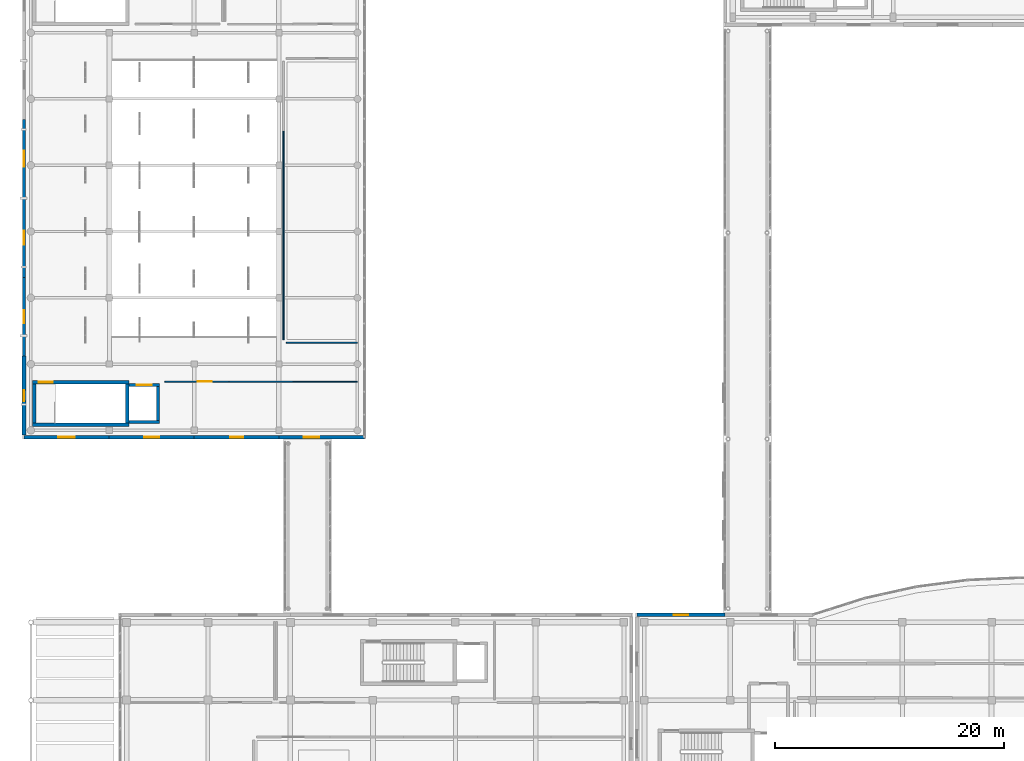
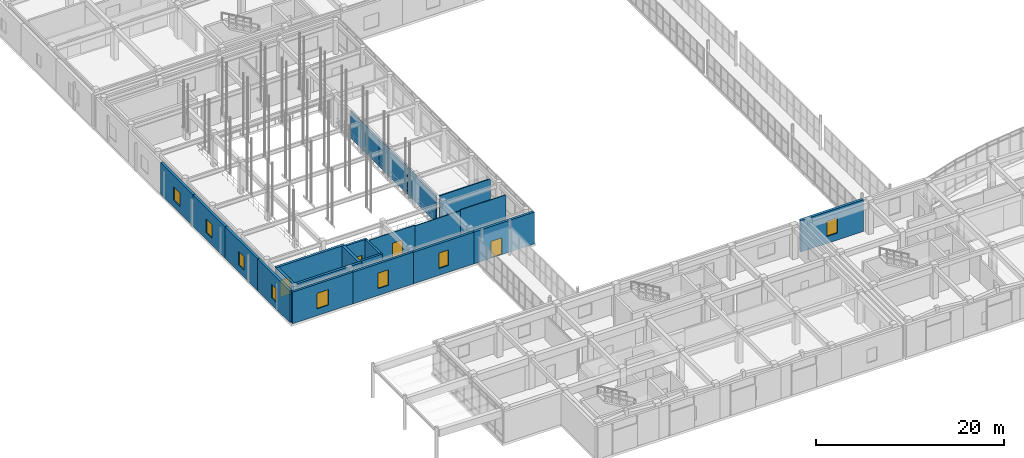
# One storey, part 119 of 142: 23 walls, 8 windows, 4 doors, 12 openings.
"""IFC4 building model written with IfcOpenShell, lengths in metres."""

from ifc_helpers import new_model, si_unit, direction, frame, frame_2d, origin, place, context, subcontext, project, spatial, rectangle, extrude, material, layer, layer_set, type_object, element, fill, save


model = new_model("IFC4")

# Units and contexts
model_context = context("Model", 3, precision=1e-05, world=origin(), true_north=direction((0.0, 1.0)))
body_context = subcontext(model_context, "Body", "Model", "MODEL_VIEW")
ifc_project = project(units=[si_unit("LENGTHUNIT", "METRE"), si_unit("AREAUNIT", "SQUARE_METRE"), si_unit("VOLUMEUNIT", "CUBIC_METRE"), si_unit("PLANEANGLEUNIT", "RADIAN"), si_unit("MASSUNIT", "GRAM", prefix="KILO")], contexts=[model_context])

# Site, building, storey
site_placement = place(None, origin())
site = spatial("IfcSite", under=ifc_project, at=site_placement, CompositionType="ELEMENT")
building_placement = place(site_placement, origin())
building = spatial("IfcBuilding", under=site, at=building_placement, Name="Valcora Specialist Clinic", CompositionType="ELEMENT")
storey_placement = place(building_placement, frame((0.0, 0.0, 5.10009765625)))
storey = spatial("IfcBuildingStorey", under=building, at=storey_placement, Name="L01", CompositionType="ELEMENT", Elevation=5.10009765625)

# Wall
ifc_material_1 = material(Name="Concrete C40/50", Category="concrete")
ifc_layer_1 = layer(ifc_material_1, 0.300048828125)
ifc_layer_set_1 = layer_set([ifc_layer_1], Name="Concrete C40/50")
wall_type_1 = type_object("IfcWallType", Name="TY-WL-CR300", PredefinedType="SHEAR", material=ifc_layer_set_1)
wall_1_placement = place(storey_placement, frame((0.89990234375, 39.25, 0.0), z_axis=(0.0, 0.0, 1.0), x_axis=(1.0, 0.0, 0.0)))
element("IfcWall", 1, at=wall_1_placement, inside=storey, type_object=wall_type_1, Name="Core shear wall WL-CR-C-V1A-L01-S", PredefinedType="SHEAR", context=body_context, shape_type="SweptSolid", body=[
    extrude(rectangle(XDim=8.420166015625, YDim=0.300048828125, at=frame_2d((4.2099609375, 0.0))), origin(), (0.0, 0.0, 1.0), 4.119873046875),
])

# Wall, opening, door
wall_2_placement = place(storey_placement, frame((0.89990234375, 42.949951171875, 0.0), z_axis=(0.0, 0.0, 1.0), x_axis=(1.0, 0.0, 0.0)))
wall_2 = element("IfcWall", 2, at=wall_2_placement, inside=storey, type_object=wall_type_1, Name="Core shear wall WL-CR-C-V1A-L01-N", PredefinedType="SHEAR", context=body_context, shape_type="SweptSolid", body=[
    extrude(rectangle(XDim=8.420166015625, YDim=0.300048828125, at=frame_2d((4.2099609375, 0.0))), origin(), (0.0, 0.0, 1.0), 4.119873046875),
])
opening_1_placement = place(wall_2_placement, frame((0.550048828125, 0.0, 0.0)))
opening_1 = element("IfcOpeningElement", 3, at=opening_1_placement, cuts=wall_2, Name="Opening DR-FD-120", PredefinedType="OPENING", context=body_context, shape_type="SweptSolid", body=[
    extrude(rectangle(XDim=1.199951171875, YDim=2.199951171875, at=frame_2d((0.60009765625, 1.10009765625))), frame((0.0, 0.159912109375, 0.0), z_axis=(0.0, -1.0, 0.0), x_axis=(1.0, 0.0, 0.0)), (0.0, 0.0, 1.0), 0.320068359375),
])
ifc_material_2 = material(Name="Galvanized Hollow Metal Door Steel ASTM A653", Category="steel")
door_type_1 = type_object("IfcDoorType", Name="TY-DR-ST120", OperationType="NOTDEFINED", PredefinedType="DOOR", material=ifc_material_2)
door_1_placement = place(opening_1_placement, origin())
door_1 = element("IfcDoor", 4, at=door_1_placement, inside=storey, type_object=door_type_1, Name="Exit stair fire door C-V1A L01", OperationType="SINGLE_SWING_RIGHT", OverallHeight=2.199951171875, OverallWidth=1.199951171875, PredefinedType="DOOR", context=body_context, shape_type="SweptSolid", body=[
    extrude(rectangle(XDim=1.199951171875, YDim=2.199951171875, at=frame_2d((0.60009765625, 1.10009765625))), frame((0.0, 0.02490234375, 0.0), z_axis=(0.0, -1.0, 0.0), x_axis=(1.0, 0.0, 0.0)), (0.0, 0.0, 1.0), 0.050048828125),
])
fill(opening_1, door_1)

# Walls
wall_3_placement = place(storey_placement, frame((1.050048828125, 39.402099609375, 0.0), z_axis=(0.0, 0.0, 1.0), x_axis=(0.0, 1.0, 0.0)))
element("IfcWall", 5, at=wall_3_placement, inside=storey, type_object=wall_type_1, Name="Core shear wall WL-CR-C-V1A-L01-W", PredefinedType="SHEAR", context=body_context, shape_type="SweptSolid", body=[
    extrude(rectangle(XDim=3.39599609375, YDim=0.300048828125, at=frame_2d((1.697998046875, 0.0))), origin(), (0.0, 0.0, 1.0), 4.119873046875),
])
ifc_layer_2 = layer(ifc_material_1, 0.320068359375)
ifc_layer_set_2 = layer_set([ifc_layer_2], Name="Concrete C40/50")
wall_type_2 = type_object("IfcWallType", Name="TY-WL-CR320", PredefinedType="SHEAR", material=ifc_layer_set_2)
wall_4_placement = place(storey_placement, frame((9.159912109375, 39.402099609375, 0.0), z_axis=(0.0, 0.0, 1.0), x_axis=(0.0, 1.0, 0.0)))
element("IfcWall", 6, at=wall_4_placement, inside=storey, type_object=wall_type_2, Name="Core shear wall WL-CR-C-V1A-L01-E", PredefinedType="SHEAR", context=body_context, shape_type="SweptSolid", body=[
    extrude(rectangle(XDim=3.39599609375, YDim=0.320068359375, at=frame_2d((1.697998046875, 0.0))), origin(), (0.0, 0.0, 1.0), 4.119873046875),
])

# Wall, opening, window
ifc_material_3 = material(Name="Extruded Jalisco Clay Brick Masonry", Category="masonry")
ifc_layer_3 = layer(ifc_material_3, 0.264892578125)
ifc_layer_set_3 = layer_set([ifc_layer_3], Name="Extruded Jalisco Clay Brick Masonry")
wall_type_3 = type_object("IfcWallType", Name="TY-WL-EW265", PredefinedType="SOLIDWALL", material=ifc_layer_set_3)
wall_5_placement = place(storey_placement, frame((0.14990234375, 59.0, 0.0), z_axis=(0.0, 0.0, 1.0), x_axis=(0.0, 1.0, 0.0)))
wall_5 = element("IfcWall", 7, at=wall_5_placement, inside=storey, type_object=wall_type_3, Name="Exterior wall WL-EXT-L01-0028", PredefinedType="SOLIDWALL", context=body_context, shape_type="SweptSolid", body=[
    extrude(rectangle(XDim=6.88671875, YDim=0.264892578125, at=frame_2d((3.443359375, 0.0))), origin(), (0.0, 0.0, 1.0), 4.119873046875),
])
opening_2_placement = place(wall_5_placement, frame((2.742919921875, 0.0, 0.89990234375)))
opening_2 = element("IfcOpeningElement", 8, at=opening_2_placement, cuts=wall_5, Name="Opening WN-14", PredefinedType="OPENING", context=body_context, shape_type="SweptSolid", body=[
    extrude(rectangle(XDim=1.39990234375, YDim=1.75, at=frame_2d((0.699951171875, 0.875))), frame((0.0, 0.142333984375, 0.0), z_axis=(0.0, -1.0, 0.0), x_axis=(1.0, 0.0, 0.0)), (0.0, 0.0, 1.0), 0.284912109375),
])
ifc_material_4 = material(Name="Low-E Laminated Insulating Glass", Category="glass")
window_type_1 = type_object("IfcWindowType", Name="TY-WN-14", PartitioningType="SINGLE_PANEL", PredefinedType="WINDOW", material=ifc_material_4)
window_1_placement = place(opening_2_placement, origin())
window_1 = element("IfcWindow", 9, at=window_1_placement, inside=storey, type_object=window_type_1, Name="Facade window WN-L01-0014", OverallHeight=1.75, OverallWidth=1.39990234375, PartitioningType="SINGLE_PANEL", PredefinedType="WINDOW", context=body_context, shape_type="SweptSolid", body=[
    extrude(rectangle(XDim=1.39990234375, YDim=1.75, at=frame_2d((0.699951171875, 0.875))), frame((0.0, 0.030029296875, 0.0), z_axis=(0.0, -1.0, 0.0), x_axis=(1.0, 0.0, 0.0)), (0.0, 0.0, 1.0), 0.06005859375),
])
fill(opening_2, window_1)

wall_6_placement = place(storey_placement, frame((7.574951171875, 38.14990234375, 0.0), z_axis=(0.0, 0.0, 1.0), x_axis=(-1.0, 0.0, 0.0)))
wall_6 = element("IfcWall", 10, at=wall_6_placement, inside=storey, type_object=wall_type_3, Name="Exterior wall WL-EXT-L01-0038", PredefinedType="SOLIDWALL", context=body_context, shape_type="SweptSolid", body=[
    extrude(rectangle(XDim=7.425048828125, YDim=0.264892578125, at=frame_2d((3.71240234375, 0.0))), origin(), (0.0, 0.0, 1.0), 4.119873046875),
])
opening_3_placement = place(wall_6_placement, frame((2.987060546875, 0.0, 0.89990234375)))
opening_3 = element("IfcOpeningElement", 11, at=opening_3_placement, cuts=wall_6, Name="Opening WN-23", PredefinedType="OPENING", context=body_context, shape_type="SweptSolid", body=[
    extrude(rectangle(XDim=1.449951171875, YDim=2.0, at=frame_2d((0.72509765625, 1.0))), frame((0.0, 0.142333984375, 0.0), z_axis=(0.0, -1.0, 0.0), x_axis=(1.0, 0.0, 0.0)), (0.0, 0.0, 1.0), 0.284912109375),
])
window_type_2 = type_object("IfcWindowType", Name="TY-WN-23", PartitioningType="SINGLE_PANEL", PredefinedType="WINDOW", material=ifc_material_4)
window_2_placement = place(opening_3_placement, origin())
window_2 = element("IfcWindow", 12, at=window_2_placement, inside=storey, type_object=window_type_2, Name="Facade window WN-L01-0023", OverallHeight=2.0, OverallWidth=1.449951171875, PartitioningType="SINGLE_PANEL", PredefinedType="WINDOW", context=body_context, shape_type="SweptSolid", body=[
    extrude(rectangle(XDim=1.449951171875, YDim=2.0, at=frame_2d((0.72509765625, 1.0))), frame((0.0, 0.030029296875, 0.0), z_axis=(0.0, -1.0, 0.0), x_axis=(1.0, 0.0, 0.0)), (0.0, 0.0, 1.0), 0.06005859375),
])
fill(opening_3, window_2)

ifc_layer_4 = layer(ifc_material_3, 0.280029296875)
ifc_layer_set_4 = layer_set([ifc_layer_4], Name="Extruded Jalisco Clay Brick Masonry")
wall_type_4 = type_object("IfcWallType", Name="TY-WL-EW280", PredefinedType="SOLIDWALL", material=ifc_layer_set_4)
wall_7_placement = place(storey_placement, frame((0.14990234375, 52.11328125, 0.0), z_axis=(0.0, 0.0, 1.0), x_axis=(0.0, 1.0, 0.0)))
wall_7 = element("IfcWall", 13, at=wall_7_placement, inside=storey, type_object=wall_type_4, Name="Exterior wall WL-EXT-L01-0027", PredefinedType="SOLIDWALL", context=body_context, shape_type="SweptSolid", body=[
    extrude(rectangle(XDim=6.88671875, YDim=0.280029296875, at=frame_2d((3.443359375, 0.0))), origin(), (0.0, 0.0, 1.0), 4.119873046875),
])
opening_4_placement = place(wall_7_placement, frame((2.818115234375, 0.0, 0.89990234375)))
opening_4 = element("IfcOpeningElement", 14, at=opening_4_placement, cuts=wall_7, Name="Opening WN-13", PredefinedType="OPENING", context=body_context, shape_type="SweptSolid", body=[
    extrude(rectangle(XDim=1.25, YDim=1.75, at=frame_2d((0.625, 0.875))), frame((0.0, 0.14990234375, 0.0), z_axis=(0.0, -1.0, 0.0), x_axis=(1.0, 0.0, 0.0)), (0.0, 0.0, 1.0), 0.300048828125),
])
window_type_3 = type_object("IfcWindowType", Name="TY-WN-13", PartitioningType="SINGLE_PANEL", PredefinedType="WINDOW", material=ifc_material_4)
window_3_placement = place(opening_4_placement, origin())
window_3 = element("IfcWindow", 15, at=window_3_placement, inside=storey, type_object=window_type_3, Name="Facade window WN-L01-0013", OverallHeight=1.75, OverallWidth=1.25, PartitioningType="SINGLE_PANEL", PredefinedType="WINDOW", context=body_context, shape_type="SweptSolid", body=[
    extrude(rectangle(XDim=1.25, YDim=1.75, at=frame_2d((0.625, 0.875))), frame((0.0, 0.030029296875, 0.0), z_axis=(0.0, -1.0, 0.0), x_axis=(1.0, 0.0, 0.0)), (0.0, 0.0, 1.0), 0.06005859375),
])
fill(opening_4, window_3)

wall_8_placement = place(storey_placement, frame((15.0, 38.14990234375, 0.0), z_axis=(0.0, 0.0, 1.0), x_axis=(-1.0, 0.0, 0.0)))
wall_8 = element("IfcWall", 16, at=wall_8_placement, inside=storey, type_object=wall_type_4, Name="Exterior wall WL-EXT-L01-0037", PredefinedType="SOLIDWALL", context=body_context, shape_type="SweptSolid", body=[
    extrude(rectangle(XDim=7.425048828125, YDim=0.280029296875, at=frame_2d((3.71240234375, 0.0))), origin(), (0.0, 0.0, 1.0), 4.119873046875),
])
opening_5_placement = place(wall_8_placement, frame((3.06201171875, 0.0, 0.89990234375)))
opening_5 = element("IfcOpeningElement", 17, at=opening_5_placement, cuts=wall_8, Name="Opening WN-22", PredefinedType="OPENING", context=body_context, shape_type="SweptSolid", body=[
    extrude(rectangle(XDim=1.300048828125, YDim=2.0, at=frame_2d((0.64990234375, 1.0))), frame((0.0, 0.14990234375, 0.0), z_axis=(0.0, -1.0, 0.0), x_axis=(1.0, 0.0, 0.0)), (0.0, 0.0, 1.0), 0.300048828125),
])
window_type_4 = type_object("IfcWindowType", Name="TY-WN-22", PartitioningType="SINGLE_PANEL", PredefinedType="WINDOW", material=ifc_material_4)
window_4_placement = place(opening_5_placement, origin())
window_4 = element("IfcWindow", 18, at=window_4_placement, inside=storey, type_object=window_type_4, Name="Facade window WN-L01-0022", OverallHeight=2.0, OverallWidth=1.300048828125, PartitioningType="SINGLE_PANEL", PredefinedType="WINDOW", context=body_context, shape_type="SweptSolid", body=[
    extrude(rectangle(XDim=1.300048828125, YDim=2.0, at=frame_2d((0.64990234375, 1.0))), frame((0.0, 0.030029296875, 0.0), z_axis=(0.0, -1.0, 0.0), x_axis=(1.0, 0.0, 0.0)), (0.0, 0.0, 1.0), 0.06005859375),
])
fill(opening_5, window_4)

ifc_layer_5 = layer(ifc_material_3, 0.294921875)
ifc_layer_set_5 = layer_set([ifc_layer_5], Name="Extruded Jalisco Clay Brick Masonry")
wall_type_5 = type_object("IfcWallType", Name="TY-WL-EW295", PredefinedType="SOLIDWALL", material=ifc_layer_set_5)
wall_9_placement = place(storey_placement, frame((0.14990234375, 45.226806640625, 0.0), z_axis=(0.0, 0.0, 1.0), x_axis=(0.0, 1.0, 0.0)))
wall_9 = element("IfcWall", 19, at=wall_9_placement, inside=storey, type_object=wall_type_5, Name="Exterior wall WL-EXT-L01-0026", PredefinedType="SOLIDWALL", context=body_context, shape_type="SweptSolid", body=[
    extrude(rectangle(XDim=6.886474609375, YDim=0.294921875, at=frame_2d((3.443359375, 0.0))), origin(), (0.0, 0.0, 1.0), 4.119873046875),
])
opening_6_placement = place(wall_9_placement, frame((2.89306640625, 0.0, 0.89990234375)))
opening_6 = element("IfcOpeningElement", 20, at=opening_6_placement, cuts=wall_9, Name="Opening WN-12", PredefinedType="OPENING", context=body_context, shape_type="SweptSolid", body=[
    extrude(rectangle(XDim=1.10009765625, YDim=1.75, at=frame_2d((0.550048828125, 0.875))), frame((0.0, 0.157470703125, 0.0), z_axis=(0.0, -1.0, 0.0), x_axis=(1.0, 0.0, 0.0)), (0.0, 0.0, 1.0), 0.31494140625),
])
window_type_5 = type_object("IfcWindowType", Name="TY-WN-12", PartitioningType="SINGLE_PANEL", PredefinedType="WINDOW", material=ifc_material_4)
window_5_placement = place(opening_6_placement, origin())
window_5 = element("IfcWindow", 21, at=window_5_placement, inside=storey, type_object=window_type_5, Name="Facade window WN-L01-0012", OverallHeight=1.75, OverallWidth=1.10009765625, PartitioningType="SINGLE_PANEL", PredefinedType="WINDOW", context=body_context, shape_type="SweptSolid", body=[
    extrude(rectangle(XDim=1.10009765625, YDim=1.75, at=frame_2d((0.550048828125, 0.875))), frame((0.0, 0.030029296875, 0.0), z_axis=(0.0, -1.0, 0.0), x_axis=(1.0, 0.0, 0.0)), (0.0, 0.0, 1.0), 0.06005859375),
])
fill(opening_6, window_5)

wall_10_placement = place(storey_placement, frame((22.425048828125, 38.14990234375, 0.0), z_axis=(0.0, 0.0, 1.0), x_axis=(-1.0, 0.0, 0.0)))
wall_10 = element("IfcWall", 22, at=wall_10_placement, inside=storey, type_object=wall_type_5, Name="Exterior wall WL-EXT-L01-0036", PredefinedType="SOLIDWALL", context=body_context, shape_type="SweptSolid", body=[
    extrude(rectangle(XDim=7.425048828125, YDim=0.294921875, at=frame_2d((3.71240234375, 0.0))), origin(), (0.0, 0.0, 1.0), 4.119873046875),
])
opening_7_placement = place(wall_10_placement, frame((3.137939453125, 0.0, 0.89990234375)))
opening_7 = element("IfcOpeningElement", 23, at=opening_7_placement, cuts=wall_10, Name="Opening WN-21", PredefinedType="OPENING", context=body_context, shape_type="SweptSolid", body=[
    extrude(rectangle(XDim=1.14990234375, YDim=2.0, at=frame_2d((0.574951171875, 1.0))), frame((0.0, 0.157470703125, 0.0), z_axis=(0.0, -1.0, 0.0), x_axis=(1.0, 0.0, 0.0)), (0.0, 0.0, 1.0), 0.31494140625),
])
window_type_6 = type_object("IfcWindowType", Name="TY-WN-21", PartitioningType="SINGLE_PANEL", PredefinedType="WINDOW", material=ifc_material_4)
window_6_placement = place(opening_7_placement, origin())
window_6 = element("IfcWindow", 24, at=window_6_placement, inside=storey, type_object=window_type_6, Name="Facade window WN-L01-0021", OverallHeight=2.0, OverallWidth=1.14990234375, PartitioningType="SINGLE_PANEL", PredefinedType="WINDOW", context=body_context, shape_type="SweptSolid", body=[
    extrude(rectangle(XDim=1.14990234375, YDim=2.0, at=frame_2d((0.574951171875, 1.0))), frame((0.0, 0.030029296875, 0.0), z_axis=(0.0, -1.0, 0.0), x_axis=(1.0, 0.0, 0.0)), (0.0, 0.0, 1.0), 0.06005859375),
])
fill(opening_7, window_6)

ifc_layer_6 = layer(ifc_material_3, 0.31005859375)
ifc_layer_set_6 = layer_set([ifc_layer_6], Name="Extruded Jalisco Clay Brick Masonry")
wall_type_6 = type_object("IfcWallType", Name="TY-WL-EW310", PredefinedType="SOLIDWALL", material=ifc_layer_set_6)
wall_11_placement = place(storey_placement, frame((0.14990234375, 38.340087890625, 0.0), z_axis=(0.0, 0.0, 1.0), x_axis=(0.0, 1.0, 0.0)))
wall_11 = element("IfcWall", 25, at=wall_11_placement, inside=storey, type_object=wall_type_6, Name="Exterior wall WL-EXT-L01-0025", PredefinedType="SOLIDWALL", context=body_context, shape_type="SweptSolid", body=[
    extrude(rectangle(XDim=6.88671875, YDim=0.31005859375, at=frame_2d((3.443359375, 0.0))), origin(), (0.0, 0.0, 1.0), 4.119873046875),
])
opening_8_placement = place(wall_11_placement, frame((2.968017578125, 0.0, 0.89990234375)))
opening_8 = element("IfcOpeningElement", 26, at=opening_8_placement, cuts=wall_11, Name="Opening WN-11", PredefinedType="OPENING", context=body_context, shape_type="SweptSolid", body=[
    extrude(rectangle(XDim=0.949951171875, YDim=1.75, at=frame_2d((0.47509765625, 0.875))), frame((0.0, 0.1650390625, 0.0), z_axis=(0.0, -1.0, 0.0), x_axis=(1.0, 0.0, 0.0)), (0.0, 0.0, 1.0), 0.330078125),
])
window_type_7 = type_object("IfcWindowType", Name="TY-WN-11", PartitioningType="SINGLE_PANEL", PredefinedType="WINDOW", material=ifc_material_4)
window_7_placement = place(opening_8_placement, origin())
window_7 = element("IfcWindow", 27, at=window_7_placement, inside=storey, type_object=window_type_7, Name="Facade window WN-L01-0011", OverallHeight=1.75, OverallWidth=0.949951171875, PartitioningType="SINGLE_PANEL", PredefinedType="WINDOW", context=body_context, shape_type="SweptSolid", body=[
    extrude(rectangle(XDim=0.949951171875, YDim=1.75, at=frame_2d((0.47509765625, 0.875))), frame((0.0, 0.030029296875, 0.0), z_axis=(0.0, -1.0, 0.0), x_axis=(1.0, 0.0, 0.0)), (0.0, 0.0, 1.0), 0.06005859375),
])
fill(opening_8, window_7)

# Wall, opening, door
wall_12_placement = place(storey_placement, frame((29.85009765625, 38.14990234375, 0.0), z_axis=(0.0, 0.0, 1.0), x_axis=(-1.0, 0.0, 0.0)))
wall_12 = element("IfcWall", 28, at=wall_12_placement, inside=storey, type_object=wall_type_6, Name="Exterior wall WL-EXT-L01-0035", PredefinedType="SOLIDWALL", context=body_context, shape_type="SweptSolid", body=[
    extrude(rectangle(XDim=7.425048828125, YDim=0.31005859375, at=frame_2d((3.71240234375, 0.0))), origin(), (0.0, 0.0, 1.0), 4.119873046875),
])
opening_9_placement = place(wall_12_placement, frame((3.948974609375, 0.0, 0.0)))
opening_9 = element("IfcOpeningElement", 29, at=opening_9_placement, cuts=wall_12, Name="Opening DR-TR-135", PredefinedType="OPENING", context=body_context, shape_type="SweptSolid", body=[
    extrude(rectangle(XDim=1.35009765625, YDim=2.199951171875, at=frame_2d((0.675048828125, 1.10009765625))), frame((0.0, 0.1650390625, 0.0), z_axis=(0.0, -1.0, 0.0), x_axis=(1.0, 0.0, 0.0)), (0.0, 0.0, 1.0), 0.330078125),
])
ifc_material_5 = material(Name="Anodized Bronze Aluminium 6063-T6", Category="aluminium")
door_type_2 = type_object("IfcDoorType", Name="TY-DR-TR135", OperationType="NOTDEFINED", PredefinedType="DOOR", material=ifc_material_5)
door_2_placement = place(opening_9_placement, origin())
door_2 = element("IfcDoor", 30, at=door_2_placement, inside=storey, type_object=door_type_2, Name="Exterior door DR-EXT-L01-005", OperationType="SINGLE_SWING_LEFT", OverallHeight=2.199951171875, OverallWidth=1.35009765625, PredefinedType="DOOR", context=body_context, shape_type="SweptSolid", body=[
    extrude(rectangle(XDim=1.35009765625, YDim=2.199951171875, at=frame_2d((0.675048828125, 1.10009765625))), frame((0.0, 0.02490234375, 0.0), z_axis=(0.0, -1.0, 0.0), x_axis=(1.0, 0.0, 0.0)), (0.0, 0.0, 1.0), 0.050048828125),
])
fill(opening_9, door_2)

# Wall, opening, window
ifc_layer_7 = layer(ifc_material_3, 0.324951171875)
ifc_layer_set_7 = layer_set([ifc_layer_7], Name="Extruded Jalisco Clay Brick Masonry")
wall_type_7 = type_object("IfcWallType", Name="TY-WL-EW325", PredefinedType="SOLIDWALL", material=ifc_layer_set_7)
wall_13_placement = place(storey_placement, frame((53.64990234375, 22.64990234375, 0.0), z_axis=(0.0, 0.0, 1.0), x_axis=(1.0, 0.0, 0.0)))
wall_13 = element("IfcWall", 31, at=wall_13_placement, inside=storey, type_object=wall_type_7, Name="Exterior wall WL-EXT-L01-0324", PredefinedType="SOLIDWALL", context=body_context, shape_type="SweptSolid", body=[
    extrude(rectangle(XDim=7.686767578125, YDim=0.324951171875, at=frame_2d((3.84326171875, 0.0))), origin(), (0.0, 0.0, 1.0), 4.10498046875),
])
opening_10_placement = place(wall_13_placement, frame((3.193115234375, 0.0, 0.89990234375)))
opening_10 = element("IfcOpeningElement", 32, at=opening_10_placement, cuts=wall_13, Name="Opening WN-22", PredefinedType="OPENING", context=body_context, shape_type="SweptSolid", body=[
    extrude(rectangle(XDim=1.300048828125, YDim=2.0, at=frame_2d((0.64990234375, 1.0))), frame((0.0, 0.17236328125, 0.0), z_axis=(0.0, -1.0, 0.0), x_axis=(1.0, 0.0, 0.0)), (0.0, 0.0, 1.0), 0.344970703125),
])
window_8_placement = place(opening_10_placement, origin())
window_8 = element("IfcWindow", 33, at=window_8_placement, inside=storey, type_object=window_type_4, Name="Facade window WN-L01-0274", OverallHeight=2.0, OverallWidth=1.300048828125, PartitioningType="SINGLE_PANEL", PredefinedType="WINDOW", context=body_context, shape_type="SweptSolid", body=[
    extrude(rectangle(XDim=1.300048828125, YDim=2.0, at=frame_2d((0.64990234375, 1.0))), frame((0.0, 0.030029296875, 0.0), z_axis=(0.0, -1.0, 0.0), x_axis=(1.0, 0.0, 0.0)), (0.0, 0.0, 1.0), 0.06005859375),
])
fill(opening_10, window_8)

# Walls
ifc_material_6 = material(Name="Gypsum Board Partition Assembly")
ifc_layer_8 = layer(ifc_material_6, 0.094970703125)
ifc_layer_set_8 = layer_set([ifc_layer_8], Name="Gypsum Board Partition Assembly")
wall_type_8 = type_object("IfcWallType", Name="TY-WL-PT095", PredefinedType="PARTITIONING", material=ifc_layer_set_8)
wall_14_placement = place(storey_placement, frame((22.800048828125, 58.800048828125, 0.0), z_axis=(0.0, 0.0, 1.0), x_axis=(0.0, 1.0, 0.0)))
element("IfcWall", 34, at=wall_14_placement, inside=storey, type_object=wall_type_8, Name="Interior partition WL-INT-L01-0155", PredefinedType="PARTITIONING", context=body_context, shape_type="SweptSolid", body=[
    extrude(rectangle(XDim=6.074951171875, YDim=0.094970703125, at=frame_2d((3.03759765625, 0.0))), origin(), (0.0, 0.0, 1.0), 3.5830078125),
])
wall_15_placement = place(storey_placement, frame((23.64990234375, 43.0, 0.0), z_axis=(0.0, 0.0, 1.0), x_axis=(1.0, 0.0, 0.0)))
element("IfcWall", 35, at=wall_15_placement, inside=storey, type_object=wall_type_8, Name="Interior partition WL-INT-L01-0161", PredefinedType="PARTITIONING", context=body_context, shape_type="SweptSolid", body=[
    extrude(rectangle(XDim=5.60009765625, YDim=0.094970703125, at=frame_2d((2.800048828125, 0.0))), origin(), (0.0, 0.0, 1.0), 3.5830078125),
])
ifc_layer_9 = layer(ifc_material_6, 0.10498046875)
ifc_layer_set_9 = layer_set([ifc_layer_9], Name="Gypsum Board Partition Assembly")
wall_type_9 = type_object("IfcWallType", Name="TY-WL-PT105", PredefinedType="PARTITIONING", material=ifc_layer_set_9)
wall_16_placement = place(storey_placement, frame((22.800048828125, 52.72509765625, 0.0), z_axis=(0.0, 0.0, 1.0), x_axis=(0.0, 1.0, 0.0)))
element("IfcWall", 36, at=wall_16_placement, inside=storey, type_object=wall_type_9, Name="Interior partition WL-INT-L01-0154", PredefinedType="PARTITIONING", context=body_context, shape_type="SweptSolid", body=[
    extrude(rectangle(XDim=6.074951171875, YDim=0.10498046875, at=frame_2d((3.03759765625, 0.0))), origin(), (0.0, 0.0, 1.0), 3.5830078125),
])
wall_17_placement = place(storey_placement, frame((18.050048828125, 43.0, 0.0), z_axis=(0.0, 0.0, 1.0), x_axis=(1.0, 0.0, 0.0)))
element("IfcWall", 37, at=wall_17_placement, inside=storey, type_object=wall_type_9, Name="Interior partition WL-INT-L01-0160", PredefinedType="PARTITIONING", context=body_context, shape_type="SweptSolid", body=[
    extrude(rectangle(XDim=5.599853515625, YDim=0.10498046875, at=frame_2d((2.7998046875, 0.0))), origin(), (0.0, 0.0, 1.0), 3.469970703125),
])
ifc_layer_10 = layer(ifc_material_6, 0.114990234375)
ifc_layer_set_10 = layer_set([ifc_layer_10], Name="Gypsum Board Partition Assembly")
wall_type_10 = type_object("IfcWallType", Name="TY-WL-PT115", PredefinedType="PARTITIONING", material=ifc_layer_set_10)
wall_18_placement = place(storey_placement, frame((22.800048828125, 46.64990234375, 0.0), z_axis=(0.0, 0.0, 1.0), x_axis=(0.0, 1.0, 0.0)))
element("IfcWall", 38, at=wall_18_placement, inside=storey, type_object=wall_type_10, Name="Interior partition WL-INT-L01-0153", PredefinedType="PARTITIONING", context=body_context, shape_type="SweptSolid", body=[
    extrude(rectangle(XDim=6.0751953125, YDim=0.114990234375, at=frame_2d((3.03759765625, 0.0))), origin(), (0.0, 0.0, 1.0), 3.5830078125),
])

# Wall, opening, door
wall_19_placement = place(storey_placement, frame((12.449951171875, 43.0, 0.0), z_axis=(0.0, 0.0, 1.0), x_axis=(1.0, 0.0, 0.0)))
wall_19 = element("IfcWall", 39, at=wall_19_placement, inside=storey, type_object=wall_type_10, Name="Interior partition WL-INT-L01-0159", PredefinedType="PARTITIONING", context=body_context, shape_type="SweptSolid", body=[
    extrude(rectangle(XDim=5.60009765625, YDim=0.114990234375, at=frame_2d((2.800048828125, 0.0))), origin(), (0.0, 0.0, 1.0), 3.56982421875),
])
opening_11_placement = place(wall_19_placement, frame((2.846923828125, 0.0, 0.0)))
opening_11 = element("IfcOpeningElement", 40, at=opening_11_placement, cuts=wall_19, Name="Opening DR-CN-122", PredefinedType="OPENING", context=body_context, shape_type="SweptSolid", body=[
    extrude(rectangle(XDim=1.219970703125, YDim=2.199951171875, at=frame_2d((0.60986328125, 1.10009765625))), frame((0.0, 0.0673828125, 0.0), z_axis=(0.0, -1.0, 0.0), x_axis=(1.0, 0.0, 0.0)), (0.0, 0.0, 1.0), 0.135009765625),
])
ifc_material_7 = material(Name="Glulam Conifer Class 24F", Category="wood")
door_type_3 = type_object("IfcDoorType", Name="TY-DR-CN122", OperationType="NOTDEFINED", PredefinedType="DOOR", material=ifc_material_7)
door_3_placement = place(opening_11_placement, origin())
door_3 = element("IfcDoor", 41, at=door_3_placement, inside=storey, type_object=door_type_3, Name="Interior door DR-INT-L01-0043", OperationType="SINGLE_SWING_LEFT", OverallHeight=2.199951171875, OverallWidth=1.219970703125, PredefinedType="DOOR", context=body_context, shape_type="SweptSolid", body=[
    extrude(rectangle(XDim=1.219970703125, YDim=2.199951171875, at=frame_2d((0.60986328125, 1.10009765625))), frame((0.0, 0.02490234375, 0.0), z_axis=(0.0, -1.0, 0.0), x_axis=(1.0, 0.0, 0.0)), (0.0, 0.0, 1.0), 0.050048828125),
])
fill(opening_11, door_3)

# Walls
ifc_layer_11 = layer(ifc_material_6, 0.125)
ifc_layer_set_11 = layer_set([ifc_layer_11], Name="Gypsum Board Partition Assembly")
wall_type_11 = type_object("IfcWallType", Name="TY-WL-PT125", PredefinedType="PARTITIONING", material=ifc_layer_set_11)
wall_20_placement = place(storey_placement, frame((29.25, 46.39990234375, 0.0), z_axis=(0.0, 0.0, 1.0), x_axis=(-1.0, 0.0, 0.0)))
element("IfcWall", 42, at=wall_20_placement, inside=storey, type_object=wall_type_11, Name="Interior partition WL-INT-L01-0158", PredefinedType="PARTITIONING", context=body_context, shape_type="SweptSolid", body=[
    extrude(rectangle(XDim=6.199951171875, YDim=0.125, at=frame_2d((3.10009765625, 0.0))), origin(), (0.0, 0.0, 1.0), 3.5830078125),
])
ifc_layer_12 = layer(ifc_material_1, 0.260009765625)
ifc_layer_set_12 = layer_set([ifc_layer_12], Name="Concrete C40/50")
wall_type_12 = type_object("IfcWallType", Name="TY-WL-SH260", PredefinedType="SHEAR", material=ifc_layer_set_12)
wall_21_placement = place(storey_placement, frame((9.322021484375, 39.469970703125, 0.0), z_axis=(0.0, 0.0, 1.0), x_axis=(1.0, 0.0, 0.0)))
element("IfcWall", 43, at=wall_21_placement, inside=storey, type_object=wall_type_12, Name="Lift shaft wall WL-LF-LF-01-L01-LS", PredefinedType="SHEAR", context=body_context, shape_type="SweptSolid", body=[
    extrude(rectangle(XDim=2.657958984375, YDim=0.260009765625, at=frame_2d((1.3291015625, 0.0))), origin(), (0.0, 0.0, 1.0), 4.119873046875),
])

# Wall, opening, door
wall_22_placement = place(storey_placement, frame((9.322021484375, 42.72998046875, 0.0), z_axis=(0.0, 0.0, 1.0), x_axis=(1.0, 0.0, 0.0)))
wall_22 = element("IfcWall", 44, at=wall_22_placement, inside=storey, type_object=wall_type_12, Name="Lift shaft wall WL-LF-LF-01-L01-LN", PredefinedType="SHEAR", context=body_context, shape_type="SweptSolid", body=[
    extrude(rectangle(XDim=2.657958984375, YDim=0.260009765625, at=frame_2d((1.3291015625, 0.0))), origin(), (0.0, 0.0, 1.0), 4.119873046875),
])
opening_12_placement = place(wall_22_placement, frame((0.678955078125, 0.0, 0.0)))
opening_12 = element("IfcOpeningElement", 45, at=opening_12_placement, cuts=wall_22, Name="Opening LD-130", PredefinedType="OPENING", context=body_context, shape_type="SweptSolid", body=[
    extrude(rectangle(XDim=1.300048828125, YDim=2.199951171875, at=frame_2d((0.64990234375, 1.10009765625))), frame((0.0, 0.139892578125, 0.0), z_axis=(0.0, -1.0, 0.0), x_axis=(1.0, 0.0, 0.0)), (0.0, 0.0, 1.0), 0.280029296875),
])
ifc_material_8 = material(Name="Stainless Steel AISI 316", Category="steel")
door_type_4 = type_object("IfcDoorType", Name="TY-LD-130", OperationType="NOTDEFINED", PredefinedType="DOOR", material=ifc_material_8)
door_4_placement = place(opening_12_placement, origin())
door_4 = element("IfcDoor", 46, at=door_4_placement, inside=storey, type_object=door_type_4, Name="Lift landing sliding door LF-01 L01", OperationType="SLIDING_TO_RIGHT", OverallHeight=2.199951171875, OverallWidth=1.300048828125, PredefinedType="DOOR", context=body_context, shape_type="SweptSolid", body=[
    extrude(rectangle(XDim=1.300048828125, YDim=2.199951171875, at=frame_2d((0.64990234375, 1.10009765625))), frame((0.0, 0.02490234375, 0.0), z_axis=(0.0, -1.0, 0.0), x_axis=(1.0, 0.0, 0.0)), (0.0, 0.0, 1.0), 0.050048828125),
])
fill(opening_12, door_4)

# Wall
wall_23_placement = place(storey_placement, frame((11.85009765625, 39.60205078125, 0.0), z_axis=(0.0, 0.0, 1.0), x_axis=(0.0, 1.0, 0.0)))
element("IfcWall", 47, at=wall_23_placement, inside=storey, type_object=wall_type_12, Name="Lift shaft wall WL-LF-LF-01-L01-LE", PredefinedType="SHEAR", context=body_context, shape_type="SweptSolid", body=[
    extrude(rectangle(XDim=2.995849609375, YDim=0.260009765625, at=frame_2d((1.498046875, 0.0))), origin(), (0.0, 0.0, 1.0), 4.119873046875),
])

save(model, "model.ifc")
